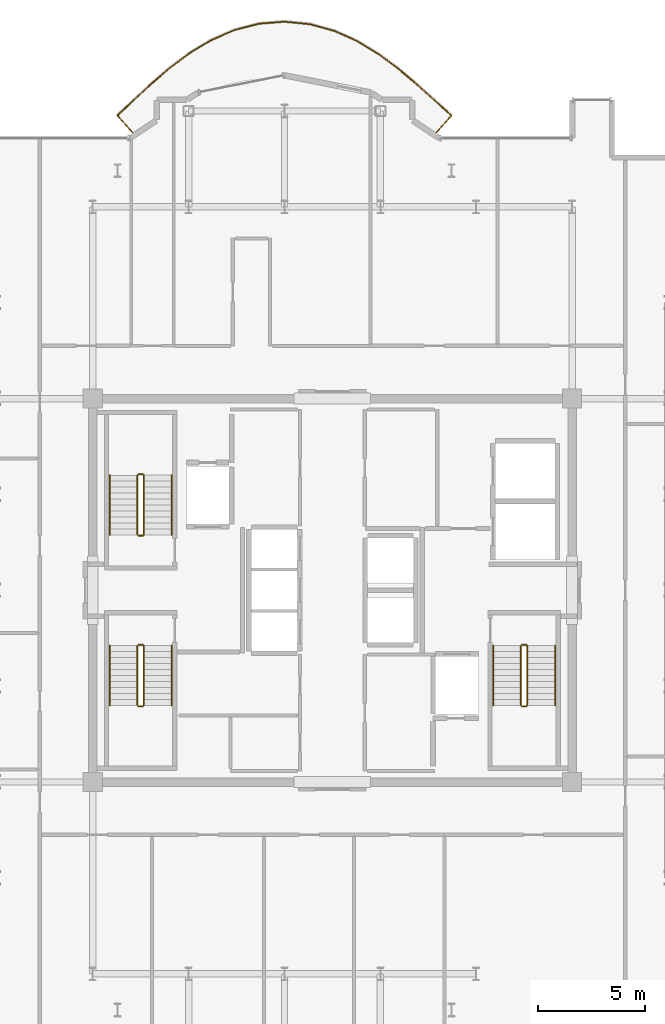
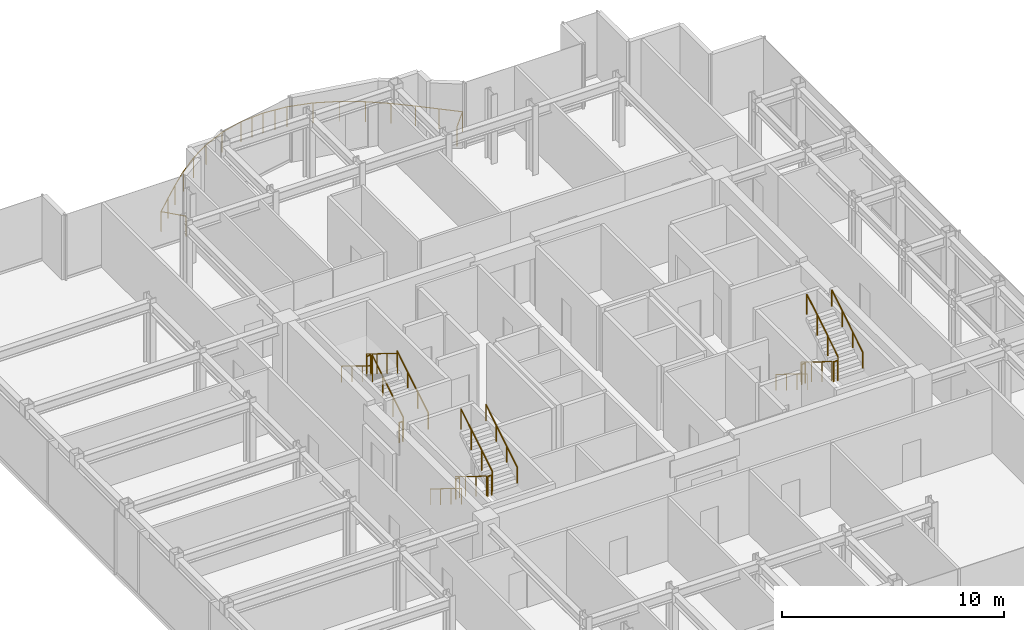
# One storey, part 18 of 18: 19 railings.
"""IFC4 building model written with IfcOpenShell, lengths in metres."""

from ifc_helpers import new_model, si_unit, direction, frame, origin, origin_2d, place, context, subcontext, project, spatial, circle, extrude, material, type_object, element, save


model = new_model("IFC4")

# Units and contexts
model_context = context("Model", 3, precision=1e-05, world=origin(), true_north=direction((0.0, 1.0)))
body_context = subcontext(model_context, "Body", "Model", "MODEL_VIEW")
ifc_project = project(units=[si_unit("LENGTHUNIT", "METRE"), si_unit("AREAUNIT", "SQUARE_METRE"), si_unit("VOLUMEUNIT", "CUBIC_METRE"), si_unit("PLANEANGLEUNIT", "RADIAN"), si_unit("MASSUNIT", "GRAM", prefix="KILO")], contexts=[model_context])

# Site, building, storey
site_placement = place(None, origin())
site = spatial("IfcSite", under=ifc_project, at=site_placement, CompositionType="ELEMENT")
building_placement = place(site_placement, origin())
building = spatial("IfcBuilding", under=site, at=building_placement, Name="Nefas-Gora Pilgrimage Tower", CompositionType="ELEMENT")
storey_placement = place(building_placement, frame((0.0, 0.0, 326.199951171875)))
storey = spatial("IfcBuildingStorey", under=building, at=storey_placement, Name="L82", CompositionType="ELEMENT", Elevation=326.199951171875)

# Railings
ifc_material_1 = material(Name="Laminated safety glass and stainless steel", Category="steel")
railing_type_1 = type_object("IfcRailingType", Name="RLG-BAL-1100", PredefinedType="BALUSTRADE", material=ifc_material_1)
railing_1_placement = place(storey_placement, frame((4.802490234375, 21.402587890625, 0.0)))
element("IfcRailing", 1, at=railing_1_placement, inside=storey, type_object=railing_type_1, Name="L82 Wave Balcony Balustrade N1", PredefinedType="BALUSTRADE", context=body_context, shape_type="SweptSolid", body=[
    extrude(circle(Radius=0.02392578125, at=origin_2d()), frame((0.0, 0.0, 1.09619140625), z_axis=(0.669113274241, 0.74316043102, 0.0), x_axis=(-0.74316043102, 0.669113274241, 0.0)), (0.0, 0.0, 1.0), 1.180419921875),
    extrude(circle(Radius=0.02392578125, at=origin_2d()), frame((0.789794921875, 0.877197265625, 1.09619140625), z_axis=(-0.741691494507, 0.670741177337, 0.0), x_axis=(-0.670741177337, -0.741691494507, 0.0)), (0.0, 0.0, 1.0), 1.0771484375),
    extrude(circle(Radius=0.02392578125, at=origin_2d()), frame((-0.009033203125, 1.599609375, 1.09619140625), z_axis=(-0.744512131343, 0.667608932147, 0.0), x_axis=(-0.667608932147, -0.744512131343, 0.0)), (0.0, 0.0, 1.0), 1.09521484375),
    extrude(circle(Radius=0.02392578125, at=origin_2d()), frame((-0.824462890625, 2.330810546875, 1.09619140625), z_axis=(-0.763015425676, 0.64638027521, 0.0), x_axis=(-0.64638027521, -0.763015425676, 0.0)), (0.0, 0.0, 1.0), 1.1240234375),
    extrude(circle(Radius=0.02392578125, at=origin_2d()), frame((-1.68212890625, 3.057373046875, 1.09619140625), z_axis=(-0.800735220579, 0.599018452574, 0.0), x_axis=(-0.599018452574, -0.800735220579, 0.0)), (0.0, 0.0, 1.0), 1.154541015625),
    extrude(circle(Radius=0.02392578125, at=origin_2d()), frame((-2.606689453125, 3.7490234375, 1.09619140625), z_axis=(-0.853742280901, 0.520695801598, 0.0), x_axis=(-0.520695801598, -0.853742280901, 0.0)), (0.0, 0.0, 1.0), 1.1787109375),
    extrude(circle(Radius=0.02392578125, at=origin_2d()), frame((-3.613037109375, 4.36279296875, 1.09619140625), z_axis=(-0.912533024613, 0.409003030539, 0.0), x_axis=(-0.409003030539, -0.912533024613, 0.0)), (0.0, 0.0, 1.0), 1.193115234375),
    extrude(circle(Radius=0.02392578125, at=origin_2d()), frame((-4.701904296875, 4.850830078125, 1.09619140625), z_axis=(-0.964107720996, 0.265511397715, 0.0), x_axis=(-0.265511397715, -0.964107720996, 0.0)), (0.0, 0.0, 1.0), 1.198974609375),
    extrude(circle(Radius=0.02392578125, at=origin_2d()), frame((-5.85791015625, 5.169189453125, 1.09619140625), z_axis=(-0.99518310835, 0.098033570044, 0.0), x_axis=(-0.098033570044, -0.99518310835, 0.0)), (0.0, 0.0, 1.0), 1.200439453125),
    extrude(circle(Radius=0.02392578125, at=origin_2d()), frame((-7.052490234375, 5.286865234375, 1.09619140625), z_axis=(-0.996817864329, -0.079712893272, 0.0), x_axis=(0.079712893272, -0.996817864329, 0.0)), (0.0, 0.0, 1.0), 1.20068359375),
    extrude(circle(Radius=0.02392578125, at=origin_2d()), frame((-8.249267578125, 5.191162109375, 1.09619140625), z_axis=(-0.96811032682, -0.250524240554, 0.0), x_axis=(0.250524240554, -0.96811032682, 0.0)), (0.0, 0.0, 1.0), 1.19970703125),
    extrude(circle(Radius=0.02392578125, at=origin_2d()), frame((-9.41064453125, 4.890625, 1.09619140625), z_axis=(-0.917018073476, -0.398845650496, 0.0), x_axis=(0.398845650496, -0.917018073476, 0.0)), (0.0, 0.0, 1.0), 1.19482421875),
    extrude(circle(Radius=0.02392578125, at=origin_2d()), frame((-10.50634765625, 4.4140625, 1.09619140625), z_axis=(-0.856288410146, -0.516497975455, 0.0), x_axis=(0.516497975455, -0.856288410146, 0.0)), (0.0, 0.0, 1.0), 1.1826171875),
    extrude(circle(Radius=0.02392578125, at=origin_2d()), frame((-11.51904296875, 3.80322265625, 1.09619140625), z_axis=(-0.799393735848, -0.600807502522, 0.0), x_axis=(0.600807502522, -0.799393735848, 0.0)), (0.0, 0.0, 1.0), 1.16064453125),
    extrude(circle(Radius=0.02392578125, at=origin_2d()), frame((-12.44677734375, 3.10595703125, 1.09619140625), z_axis=(-0.756920087297, -0.653507445593, 0.0), x_axis=(0.653507445593, -0.756920087297, 0.0)), (0.0, 0.0, 1.0), 1.130859375),
    extrude(circle(Radius=0.02392578125, at=origin_2d()), frame((-13.302734375, 2.366943359375, 1.09619140625), z_axis=(-0.733756578496, -0.679412454635, 0.0), x_axis=(0.679412454635, -0.733756578496, 0.0)), (0.0, 0.0, 1.0), 1.1005859375),
    extrude(circle(Radius=0.02392578125, at=origin_2d()), frame((-14.1103515625, 1.619140625, 1.09619140625), z_axis=(-0.727934382881, -0.685646799905, 0.0), x_axis=(0.685646799905, -0.727934382881, 0.0)), (0.0, 0.0, 1.0), 1.07958984375),
    extrude(circle(Radius=0.02392578125, at=origin_2d()), frame((-14.896240234375, 0.87890625, 1.09619140625), z_axis=(0.669078780144, -0.743191486739, 0.0), x_axis=(0.743191486739, 0.669078780144, 0.0)), (0.0, 0.0, 1.0), 1.1826171875),
    extrude(circle(Radius=0.02099609375, at=origin_2d()), origin(), (0.0, 0.0, 1.0), 1.072021484375),
    extrude(circle(Radius=0.02099609375, at=origin_2d()), frame((0.789794921875, 0.877197265625, 0.0)), (0.0, 0.0, 1.0), 1.072021484375),
    extrude(circle(Radius=0.02099609375, at=origin_2d()), frame((-0.009033203125, 1.599609375, 0.0)), (0.0, 0.0, 1.0), 1.072021484375),
    extrude(circle(Radius=0.02099609375, at=origin_2d()), frame((-0.824462890625, 2.330810546875, 0.0)), (0.0, 0.0, 1.0), 1.072021484375),
    extrude(circle(Radius=0.02099609375, at=origin_2d()), frame((-1.68212890625, 3.057373046875, 0.0)), (0.0, 0.0, 1.0), 1.072021484375),
    extrude(circle(Radius=0.02099609375, at=origin_2d()), frame((-2.606689453125, 3.7490234375, 0.0)), (0.0, 0.0, 1.0), 1.072021484375),
    extrude(circle(Radius=0.02099609375, at=origin_2d()), frame((-3.613037109375, 4.36279296875, 0.0)), (0.0, 0.0, 1.0), 1.072021484375),
    extrude(circle(Radius=0.02099609375, at=origin_2d()), frame((-4.701904296875, 4.850830078125, 0.0)), (0.0, 0.0, 1.0), 1.072021484375),
    extrude(circle(Radius=0.02099609375, at=origin_2d()), frame((-5.85791015625, 5.169189453125, 0.0)), (0.0, 0.0, 1.0), 1.072021484375),
    extrude(circle(Radius=0.02099609375, at=origin_2d()), frame((-6.455078125, 5.22802734375, 0.0)), (0.0, 0.0, 1.0), 1.072021484375),
    extrude(circle(Radius=0.02099609375, at=origin_2d()), frame((-7.052490234375, 5.286865234375, 0.0)), (0.0, 0.0, 1.0), 1.072021484375),
    extrude(circle(Radius=0.02099609375, at=origin_2d()), frame((-7.65087890625, 5.239013671875, 0.0)), (0.0, 0.0, 1.0), 1.072021484375),
    extrude(circle(Radius=0.02099609375, at=origin_2d()), frame((-8.249267578125, 5.191162109375, 0.0)), (0.0, 0.0, 1.0), 1.072021484375),
    extrude(circle(Radius=0.02099609375, at=origin_2d()), frame((-9.41064453125, 4.890625, 0.0)), (0.0, 0.0, 1.0), 1.072021484375),
    extrude(circle(Radius=0.02099609375, at=origin_2d()), frame((-10.50634765625, 4.4140625, 0.0)), (0.0, 0.0, 1.0), 1.072021484375),
    extrude(circle(Radius=0.02099609375, at=origin_2d()), frame((-11.51904296875, 3.80322265625, 0.0)), (0.0, 0.0, 1.0), 1.072021484375),
    extrude(circle(Radius=0.02099609375, at=origin_2d()), frame((-12.44677734375, 3.10595703125, 0.0)), (0.0, 0.0, 1.0), 1.072021484375),
    extrude(circle(Radius=0.02099609375, at=origin_2d()), frame((-13.302734375, 2.366943359375, 0.0)), (0.0, 0.0, 1.0), 1.072021484375),
    extrude(circle(Radius=0.02099609375, at=origin_2d()), frame((-14.1103515625, 1.619140625, 0.0)), (0.0, 0.0, 1.0), 1.072021484375),
    extrude(circle(Radius=0.02099609375, at=origin_2d()), frame((-14.896240234375, 0.87890625, 0.0)), (0.0, 0.0, 1.0), 1.072021484375),
    extrude(circle(Radius=0.02099609375, at=origin_2d()), frame((-14.10498046875, 0.0, 0.0)), (0.0, 0.0, 1.0), 1.072021484375),
])
ifc_material_2 = material(Name="Painted galvanised steel", Category="steel")
railing_type_2 = type_object("IfcRailingType", Name="RLG-STR-GUARD-1100", PredefinedType="GUARDRAIL", material=ifc_material_2)
railing_2_placement = place(storey_placement, frame((-8.85009765625, 2.60009765625, 0.1728515625)))
element("IfcRailing", 2, at=railing_2_placement, inside=storey, type_object=railing_type_2, Name="L82 ST-01 stair guard 1", PredefinedType="GUARDRAIL", context=body_context, shape_type="SweptSolid", body=[
    extrude(circle(Radius=0.02392578125, at=origin_2d()), frame((0.0, 0.0, 1.09619140625), z_axis=(0.0, 0.851069175582, 0.525053576669), x_axis=(-1.0, 0.0, 0.0)), (0.0, 0.0, 1.0), 3.289794921875),
    extrude(circle(Radius=0.02099609375, at=origin_2d()), origin(), (0.0, 0.0, 1.0), 1.072021484375),
    extrude(circle(Radius=0.02099609375, at=origin_2d()), frame((0.0, 0.933349609375, 0.57568359375)), (0.0, 0.0, 1.0), 1.072021484375),
    extrude(circle(Radius=0.02099609375, at=origin_2d()), frame((0.0, 1.866455078125, 1.151611328125)), (0.0, 0.0, 1.0), 1.072021484375),
    extrude(circle(Radius=0.02099609375, at=origin_2d()), frame((0.0, 2.7998046875, 1.727294921875)), (0.0, 0.0, 1.0), 1.072021484375),
])
railing_3_placement = place(storey_placement, frame((-8.89990234375, 5.449951171875, 1.900146484375)))
element("IfcRailing", 3, at=railing_3_placement, inside=storey, type_object=railing_type_2, Name="L82 ST-01 stair guard 2", PredefinedType="GUARDRAIL", context=body_context, shape_type="SweptSolid", body=[
    extrude(circle(Radius=0.02392578125, at=origin_2d()), frame((0.0, 0.0, 1.09619140625), z_axis=(-1.0, 0.0, 0.0), x_axis=(0.0, -1.0, 0.0)), (0.0, 0.0, 1.0), 0.2001953125),
    extrude(circle(Radius=0.02099609375, at=origin_2d()), origin(), (0.0, 0.0, 1.0), 1.072021484375),
    extrude(circle(Radius=0.02099609375, at=origin_2d()), frame((-0.2001953125, 0.0, 0.0)), (0.0, 0.0, 1.0), 1.072021484375),
])
railing_4_placement = place(storey_placement, frame((-9.14990234375, 5.39990234375, 2.07275390625)))
element("IfcRailing", 4, at=railing_4_placement, inside=storey, type_object=railing_type_2, Name="L82 ST-01 stair guard 3", PredefinedType="GUARDRAIL", context=body_context, shape_type="SweptSolid", body=[
    extrude(circle(Radius=0.02392578125, at=origin_2d()), frame((0.0, 0.0, 1.09619140625), z_axis=(0.0, -0.851069175582, 0.525053576669), x_axis=(1.0, 0.0, 0.0)), (0.0, 0.0, 1.0), 3.289794921875),
    extrude(circle(Radius=0.02099609375, at=origin_2d()), origin(), (0.0, 0.0, 1.0), 1.072021484375),
    extrude(circle(Radius=0.02099609375, at=origin_2d()), frame((0.0, -0.933349609375, 0.57568359375)), (0.0, 0.0, 1.0), 1.072021484375),
    extrude(circle(Radius=0.02099609375, at=origin_2d()), frame((0.0, -1.866455078125, 1.151611328125)), (0.0, 0.0, 1.0), 1.072021484375),
    extrude(circle(Radius=0.02099609375, at=origin_2d()), frame((0.0, -2.7998046875, 1.727294921875)), (0.0, 0.0, 1.0), 1.072021484375),
])
railing_5_placement = place(storey_placement, frame((-8.89990234375, 2.550048828125, 0.0)))
element("IfcRailing", 5, at=railing_5_placement, inside=storey, type_object=railing_type_2, Name="L82 ST-01 stair guard 4", PredefinedType="GUARDRAIL", context=body_context, shape_type="SweptSolid", body=[
    extrude(circle(Radius=0.02392578125, at=origin_2d()), frame((0.0, 0.0, 1.09619140625), z_axis=(-1.0, 0.0, 0.0), x_axis=(0.0, -1.0, 0.0)), (0.0, 0.0, 1.0), 0.2001953125),
    extrude(circle(Radius=0.02099609375, at=origin_2d()), origin(), (0.0, 0.0, 1.0), 1.072021484375),
    extrude(circle(Radius=0.02099609375, at=origin_2d()), frame((-0.2001953125, 0.0, 0.0)), (0.0, 0.0, 1.0), 1.072021484375),
])
railing_6_placement = place(storey_placement, frame((8.85009765625, -2.60009765625, 0.1728515625)))
element("IfcRailing", 6, at=railing_6_placement, inside=storey, type_object=railing_type_2, Name="L82 ST-02 stair guard 1", PredefinedType="GUARDRAIL", context=body_context, shape_type="SweptSolid", body=[
    extrude(circle(Radius=0.02392578125, at=origin_2d()), frame((0.0, 0.0, 1.09619140625), z_axis=(0.0, -0.851069175582, 0.525053576669), x_axis=(1.0, 0.0, 0.0)), (0.0, 0.0, 1.0), 3.289794921875),
    extrude(circle(Radius=0.02099609375, at=origin_2d()), origin(), (0.0, 0.0, 1.0), 1.072021484375),
    extrude(circle(Radius=0.02099609375, at=origin_2d()), frame((0.0, -0.933349609375, 0.57568359375)), (0.0, 0.0, 1.0), 1.072021484375),
    extrude(circle(Radius=0.02099609375, at=origin_2d()), frame((0.0, -1.866455078125, 1.151611328125)), (0.0, 0.0, 1.0), 1.072021484375),
    extrude(circle(Radius=0.02099609375, at=origin_2d()), frame((0.0, -2.7998046875, 1.727294921875)), (0.0, 0.0, 1.0), 1.072021484375),
])
railing_7_placement = place(storey_placement, frame((8.89990234375, -5.449951171875, 1.900146484375)))
element("IfcRailing", 7, at=railing_7_placement, inside=storey, type_object=railing_type_2, Name="L82 ST-02 stair guard 2", PredefinedType="GUARDRAIL", context=body_context, shape_type="SweptSolid", body=[
    extrude(circle(Radius=0.02392578125, at=origin_2d()), frame((0.0, 0.0, 1.09619140625), z_axis=(1.0, 0.0, 0.0), x_axis=(0.0, 1.0, 0.0)), (0.0, 0.0, 1.0), 0.2001953125),
    extrude(circle(Radius=0.02099609375, at=origin_2d()), origin(), (0.0, 0.0, 1.0), 1.072021484375),
    extrude(circle(Radius=0.02099609375, at=origin_2d()), frame((0.2001953125, 0.0, 0.0)), (0.0, 0.0, 1.0), 1.072021484375),
])
railing_8_placement = place(storey_placement, frame((9.14990234375, -5.39990234375, 2.07275390625)))
element("IfcRailing", 8, at=railing_8_placement, inside=storey, type_object=railing_type_2, Name="L82 ST-02 stair guard 3", PredefinedType="GUARDRAIL", context=body_context, shape_type="SweptSolid", body=[
    extrude(circle(Radius=0.02392578125, at=origin_2d()), frame((0.0, 0.0, 1.09619140625), z_axis=(0.0, 0.851069175582, 0.525053576669), x_axis=(-1.0, 0.0, 0.0)), (0.0, 0.0, 1.0), 3.289794921875),
    extrude(circle(Radius=0.02099609375, at=origin_2d()), origin(), (0.0, 0.0, 1.0), 1.072021484375),
    extrude(circle(Radius=0.02099609375, at=origin_2d()), frame((0.0, 0.933349609375, 0.57568359375)), (0.0, 0.0, 1.0), 1.072021484375),
    extrude(circle(Radius=0.02099609375, at=origin_2d()), frame((0.0, 1.866455078125, 1.151611328125)), (0.0, 0.0, 1.0), 1.072021484375),
    extrude(circle(Radius=0.02099609375, at=origin_2d()), frame((0.0, 2.7998046875, 1.727294921875)), (0.0, 0.0, 1.0), 1.072021484375),
])
railing_9_placement = place(storey_placement, frame((8.89990234375, -2.550048828125, 0.0)))
element("IfcRailing", 9, at=railing_9_placement, inside=storey, type_object=railing_type_2, Name="L82 ST-02 stair guard 4", PredefinedType="GUARDRAIL", context=body_context, shape_type="SweptSolid", body=[
    extrude(circle(Radius=0.02392578125, at=origin_2d()), frame((0.0, 0.0, 1.09619140625), z_axis=(1.0, 0.0, 0.0), x_axis=(0.0, 1.0, 0.0)), (0.0, 0.0, 1.0), 0.2001953125),
    extrude(circle(Radius=0.02099609375, at=origin_2d()), origin(), (0.0, 0.0, 1.0), 1.072021484375),
    extrude(circle(Radius=0.02099609375, at=origin_2d()), frame((0.2001953125, 0.0, 0.0)), (0.0, 0.0, 1.0), 1.072021484375),
])
railing_10_placement = place(storey_placement, frame((-9.14990234375, -2.60009765625, 0.1728515625)))
element("IfcRailing", 10, at=railing_10_placement, inside=storey, type_object=railing_type_2, Name="L82 ST-03 stair guard 1", PredefinedType="GUARDRAIL", context=body_context, shape_type="SweptSolid", body=[
    extrude(circle(Radius=0.02392578125, at=origin_2d()), frame((0.0, 0.0, 1.09619140625), z_axis=(0.0, -0.851069175582, 0.525053576669), x_axis=(1.0, 0.0, 0.0)), (0.0, 0.0, 1.0), 3.289794921875),
    extrude(circle(Radius=0.02099609375, at=origin_2d()), origin(), (0.0, 0.0, 1.0), 1.072021484375),
    extrude(circle(Radius=0.02099609375, at=origin_2d()), frame((0.0, -0.933349609375, 0.57568359375)), (0.0, 0.0, 1.0), 1.072021484375),
    extrude(circle(Radius=0.02099609375, at=origin_2d()), frame((0.0, -1.866455078125, 1.151611328125)), (0.0, 0.0, 1.0), 1.072021484375),
    extrude(circle(Radius=0.02099609375, at=origin_2d()), frame((0.0, -2.7998046875, 1.727294921875)), (0.0, 0.0, 1.0), 1.072021484375),
])
railing_11_placement = place(storey_placement, frame((-9.10009765625, -5.449951171875, 1.900146484375)))
element("IfcRailing", 11, at=railing_11_placement, inside=storey, type_object=railing_type_2, Name="L82 ST-03 stair guard 2", PredefinedType="GUARDRAIL", context=body_context, shape_type="SweptSolid", body=[
    extrude(circle(Radius=0.02392578125, at=origin_2d()), frame((0.0, 0.0, 1.09619140625), z_axis=(1.0, 0.0, 0.0), x_axis=(0.0, 1.0, 0.0)), (0.0, 0.0, 1.0), 0.2001953125),
    extrude(circle(Radius=0.02099609375, at=origin_2d()), origin(), (0.0, 0.0, 1.0), 1.072021484375),
    extrude(circle(Radius=0.02099609375, at=origin_2d()), frame((0.2001953125, 0.0, 0.0)), (0.0, 0.0, 1.0), 1.072021484375),
])
railing_12_placement = place(storey_placement, frame((-8.85009765625, -5.39990234375, 2.07275390625)))
element("IfcRailing", 12, at=railing_12_placement, inside=storey, type_object=railing_type_2, Name="L82 ST-03 stair guard 3", PredefinedType="GUARDRAIL", context=body_context, shape_type="SweptSolid", body=[
    extrude(circle(Radius=0.02392578125, at=origin_2d()), frame((0.0, 0.0, 1.09619140625), z_axis=(0.0, 0.851069175582, 0.525053576669), x_axis=(-1.0, 0.0, 0.0)), (0.0, 0.0, 1.0), 3.289794921875),
    extrude(circle(Radius=0.02099609375, at=origin_2d()), origin(), (0.0, 0.0, 1.0), 1.072021484375),
    extrude(circle(Radius=0.02099609375, at=origin_2d()), frame((0.0, 0.933349609375, 0.57568359375)), (0.0, 0.0, 1.0), 1.072021484375),
    extrude(circle(Radius=0.02099609375, at=origin_2d()), frame((0.0, 1.866455078125, 1.151611328125)), (0.0, 0.0, 1.0), 1.072021484375),
    extrude(circle(Radius=0.02099609375, at=origin_2d()), frame((0.0, 2.7998046875, 1.727294921875)), (0.0, 0.0, 1.0), 1.072021484375),
])
railing_13_placement = place(storey_placement, frame((-9.10009765625, -2.550048828125, 0.0)))
element("IfcRailing", 13, at=railing_13_placement, inside=storey, type_object=railing_type_2, Name="L82 ST-03 stair guard 4", PredefinedType="GUARDRAIL", context=body_context, shape_type="SweptSolid", body=[
    extrude(circle(Radius=0.02392578125, at=origin_2d()), frame((0.0, 0.0, 1.09619140625), z_axis=(1.0, 0.0, 0.0), x_axis=(0.0, 1.0, 0.0)), (0.0, 0.0, 1.0), 0.2001953125),
    extrude(circle(Radius=0.02099609375, at=origin_2d()), origin(), (0.0, 0.0, 1.0), 1.072021484375),
    extrude(circle(Radius=0.02099609375, at=origin_2d()), frame((0.2001953125, 0.0, 0.0)), (0.0, 0.0, 1.0), 1.072021484375),
])
ifc_material_3 = material(Name="Brushed stainless steel", Category="steel")
railing_type_3 = type_object("IfcRailingType", Name="RLG-STR-HAND-900", PredefinedType="HANDRAIL", material=ifc_material_3)
railing_14_placement = place(storey_placement, frame((-7.550048828125, 2.60009765625, 0.1728515625)))
element("IfcRailing", 14, at=railing_14_placement, inside=storey, type_object=railing_type_3, Name="L82 ST-01 stair handrail 1", PredefinedType="HANDRAIL", context=body_context, shape_type="SweptSolid", body=[
    extrude(circle(Radius=0.02392578125, at=origin_2d()), frame((0.0, 0.0, 0.8759765625), z_axis=(0.0, 0.851069175582, 0.525053576669), x_axis=(-1.0, 0.0, 0.0)), (0.0, 0.0, 1.0), 3.289794921875),
    extrude(circle(Radius=0.02099609375, at=origin_2d()), origin(), (0.0, 0.0, 1.0), 0.851806640625),
    extrude(circle(Radius=0.02099609375, at=origin_2d()), frame((0.0, 0.933349609375, 0.57568359375)), (0.0, 0.0, 1.0), 0.851806640625),
    extrude(circle(Radius=0.02099609375, at=origin_2d()), frame((0.0, 1.866455078125, 1.151611328125)), (0.0, 0.0, 1.0), 0.851806640625),
    extrude(circle(Radius=0.02099609375, at=origin_2d()), frame((0.0, 2.7998046875, 1.727294921875)), (0.0, 0.0, 1.0), 0.851806640625),
])
for number, where, name in (
    (15, (-10.449951171875, 5.39990234375, 2.07275390625), "L82 ST-01 stair handrail 2"),
    (16, (7.550048828125, -2.60009765625, 0.1728515625), "L82 ST-02 stair handrail 1"),
):
    element("IfcRailing", number, at=place(storey_placement, frame(where)), inside=storey, type_object=railing_type_3, Name=name, PredefinedType="HANDRAIL", context=body_context, shape_type="SweptSolid", body=[
        extrude(circle(Radius=0.02392578125, at=origin_2d()), frame((0.0, 0.0, 0.8759765625), z_axis=(0.0, -0.851069175582, 0.525053576669), x_axis=(1.0, 0.0, 0.0)), (0.0, 0.0, 1.0), 3.289794921875),
        extrude(circle(Radius=0.02099609375, at=origin_2d()), origin(), (0.0, 0.0, 1.0), 0.851806640625),
        extrude(circle(Radius=0.02099609375, at=origin_2d()), frame((0.0, -0.933349609375, 0.57568359375)), (0.0, 0.0, 1.0), 0.851806640625),
        extrude(circle(Radius=0.02099609375, at=origin_2d()), frame((0.0, -1.866455078125, 1.151611328125)), (0.0, 0.0, 1.0), 0.851806640625),
        extrude(circle(Radius=0.02099609375, at=origin_2d()), frame((0.0, -2.7998046875, 1.727294921875)), (0.0, 0.0, 1.0), 0.851806640625),
    ])
railing_15_placement = place(storey_placement, frame((10.449951171875, -5.39990234375, 2.07275390625)))
element("IfcRailing", 17, at=railing_15_placement, inside=storey, type_object=railing_type_3, Name="L82 ST-02 stair handrail 2", PredefinedType="HANDRAIL", context=body_context, shape_type="SweptSolid", body=[
    extrude(circle(Radius=0.02392578125, at=origin_2d()), frame((0.0, 0.0, 0.8759765625), z_axis=(0.0, 0.851069175582, 0.525053576669), x_axis=(-1.0, 0.0, 0.0)), (0.0, 0.0, 1.0), 3.289794921875),
    extrude(circle(Radius=0.02099609375, at=origin_2d()), origin(), (0.0, 0.0, 1.0), 0.851806640625),
    extrude(circle(Radius=0.02099609375, at=origin_2d()), frame((0.0, 0.933349609375, 0.57568359375)), (0.0, 0.0, 1.0), 0.851806640625),
    extrude(circle(Radius=0.02099609375, at=origin_2d()), frame((0.0, 1.866455078125, 1.151611328125)), (0.0, 0.0, 1.0), 0.851806640625),
    extrude(circle(Radius=0.02099609375, at=origin_2d()), frame((0.0, 2.7998046875, 1.727294921875)), (0.0, 0.0, 1.0), 0.851806640625),
])
railing_16_placement = place(storey_placement, frame((-10.449951171875, -2.60009765625, 0.1728515625)))
element("IfcRailing", 18, at=railing_16_placement, inside=storey, type_object=railing_type_3, Name="L82 ST-03 stair handrail 1", PredefinedType="HANDRAIL", context=body_context, shape_type="SweptSolid", body=[
    extrude(circle(Radius=0.02392578125, at=origin_2d()), frame((0.0, 0.0, 0.8759765625), z_axis=(0.0, -0.851069175582, 0.525053576669), x_axis=(1.0, 0.0, 0.0)), (0.0, 0.0, 1.0), 3.289794921875),
    extrude(circle(Radius=0.02099609375, at=origin_2d()), origin(), (0.0, 0.0, 1.0), 0.851806640625),
    extrude(circle(Radius=0.02099609375, at=origin_2d()), frame((0.0, -0.933349609375, 0.57568359375)), (0.0, 0.0, 1.0), 0.851806640625),
    extrude(circle(Radius=0.02099609375, at=origin_2d()), frame((0.0, -1.866455078125, 1.151611328125)), (0.0, 0.0, 1.0), 0.851806640625),
    extrude(circle(Radius=0.02099609375, at=origin_2d()), frame((0.0, -2.7998046875, 1.727294921875)), (0.0, 0.0, 1.0), 0.851806640625),
])
railing_17_placement = place(storey_placement, frame((-7.550048828125, -5.39990234375, 2.07275390625)))
element("IfcRailing", 19, at=railing_17_placement, inside=storey, type_object=railing_type_3, Name="L82 ST-03 stair handrail 2", PredefinedType="HANDRAIL", context=body_context, shape_type="SweptSolid", body=[
    extrude(circle(Radius=0.02392578125, at=origin_2d()), frame((0.0, 0.0, 0.8759765625), z_axis=(0.0, 0.851069175582, 0.525053576669), x_axis=(-1.0, 0.0, 0.0)), (0.0, 0.0, 1.0), 3.289794921875),
    extrude(circle(Radius=0.02099609375, at=origin_2d()), origin(), (0.0, 0.0, 1.0), 0.851806640625),
    extrude(circle(Radius=0.02099609375, at=origin_2d()), frame((0.0, 0.933349609375, 0.57568359375)), (0.0, 0.0, 1.0), 0.851806640625),
    extrude(circle(Radius=0.02099609375, at=origin_2d()), frame((0.0, 1.866455078125, 1.151611328125)), (0.0, 0.0, 1.0), 0.851806640625),
    extrude(circle(Radius=0.02099609375, at=origin_2d()), frame((0.0, 2.7998046875, 1.727294921875)), (0.0, 0.0, 1.0), 0.851806640625),
])

save(model, "model.ifc")
